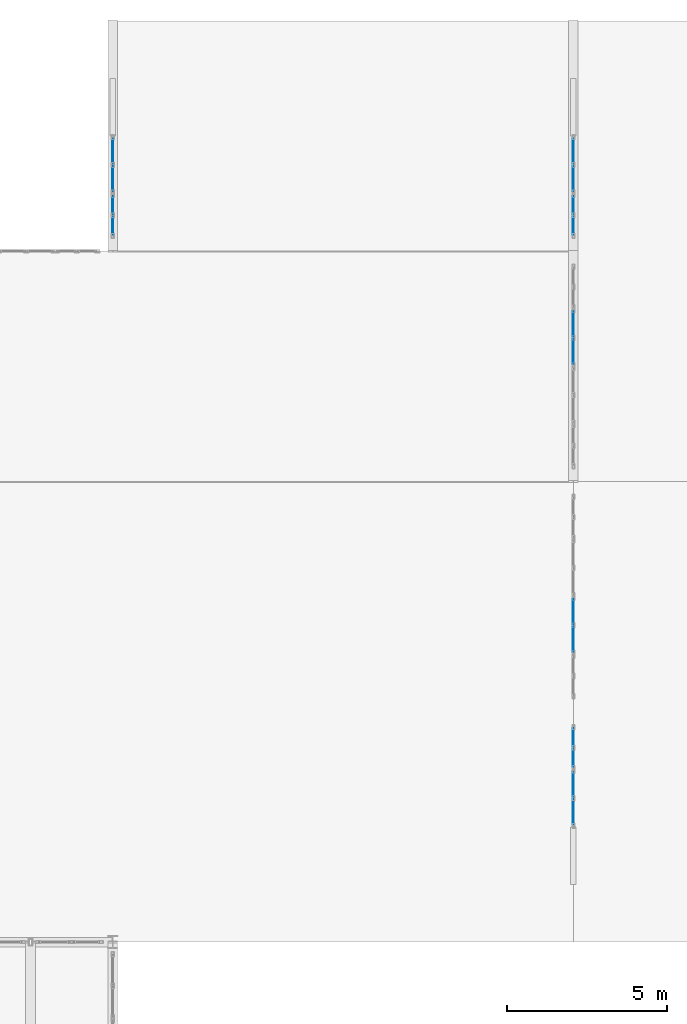
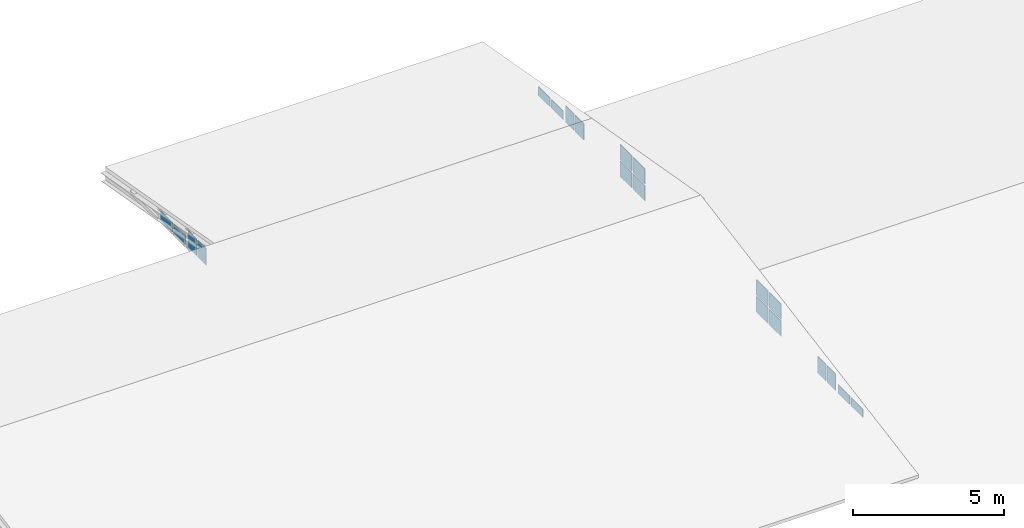
# One storey, part 37 of 39: 20 plates, 8 elements without a shape of their own.
"""IFC4 building model written with IfcOpenShell, lengths in metres."""

import ifcopenshell
import ifcopenshell.guid

model = None  # the IFC model being written
_history = None  # IfcOwnerHistory: only IFC2X3 demands one
_inside = {}  # id of a spatial element -> (the spatial element, [elements in it])
_under = {}  # id of a project, library or spatial element -> (it, [spatial elements below it])
_declared = {}  # id of a project -> (the project, [libraries it declares])
_typed = {}  # id of a type object -> (the type object, [elements of that type])
_made_of = {}  # id of a material, layer set ... -> (it, [elements and type objects made of it])


def new_model(schema):
    """Start an empty IFC model of exactly this schema.

    Asked for "IFC4X3", IfcOpenShell would pick the latest addendum, in which some entities
    have other attributes; the version numbers below select the first issue.
    IFC2X3 requires an IfcOwnerHistory on every rooted entity: one is made here for all.
    """
    global model, _history
    if schema == "IFC4X3":
        model = ifcopenshell.file(schema_version=(4, 3, 0, 0))
    else:
        model = ifcopenshell.file(schema=schema)
    _inside.clear()
    _under.clear()
    _declared.clear()
    _typed.clear()
    _made_of.clear()
    _history = None
    if model.schema == "IFC2X3":
        org = make("IfcOrganization", Name="unknown")
        user = make(
            "IfcPersonAndOrganization",
            ThePerson=make("IfcPerson", FamilyName="unknown"),
            TheOrganization=org,
        )
        app = make(
            "IfcApplication",
            ApplicationDeveloper=org,
            Version="unknown",
            ApplicationFullName="unknown",
            ApplicationIdentifier="unknown",
        )
        _history = make(
            "IfcOwnerHistory",
            OwningUser=user,
            OwningApplication=app,
            ChangeAction="ADDED",
            CreationDate=0,
        )
    return model


def make(cls, **values):
    """One entity of the class cls with the attributes given. An attribute that is None is left unset."""
    return model.create_entity(
        cls, **{name: value for name, value in values.items() if value is not None}
    )


def rooted(cls, **values):
    """An entity with a GlobalId (a new one), such as an element, a storey or a relation."""
    return make(cls, GlobalId=ifcopenshell.guid.new(), OwnerHistory=_history, **values)


def si_unit(unit_type, name, prefix=None):
    """IfcSIUnit, for example si_unit("LENGTHUNIT", "METRE", prefix="MILLI")."""
    return make("IfcSIUnit", UnitType=unit_type, Prefix=prefix, Name=name)


def assignment(units):
    """IfcUnitAssignment: the units of a project."""
    return None if units is None else make("IfcUnitAssignment", Units=units)


def point(xyz):
    """IfcCartesianPoint."""
    return None if xyz is None else make("IfcCartesianPoint", Coordinates=xyz)


def direction(xyz):
    """IfcDirection."""
    return None if xyz is None else make("IfcDirection", DirectionRatios=xyz)


def frame(location, z_axis=None, x_axis=None):
    """IfcAxis2Placement3D, a coordinate frame: its origin and axes. An axis left out is left unset."""
    return make(
        "IfcAxis2Placement3D",
        Location=point(location),
        Axis=direction(z_axis),
        RefDirection=direction(x_axis),
    )


def frame_2d(location, x_axis=None):
    """IfcAxis2Placement2D, a coordinate frame in the plane: its origin and x axis."""
    return make(
        "IfcAxis2Placement2D", Location=point(location), RefDirection=direction(x_axis)
    )


def origin():
    """The frame at (0, 0, 0) with its axes left unset."""
    return frame((0.0, 0.0, 0.0))


def origin_2d():
    """The frame at (0, 0) in the plane with its x axis left unset."""
    return frame_2d((0.0, 0.0))


def place(relative_to, where):
    """IfcLocalPlacement: puts the frame where relative to a parent placement (None: the world)."""
    return make(
        "IfcLocalPlacement", PlacementRelTo=relative_to, RelativePlacement=where
    )


def context(
    kind, dimensions, precision=None, world=None, true_north=None, identifier=None
):
    """IfcGeometricRepresentationContext, for example the 3D "Model" context."""
    return make(
        "IfcGeometricRepresentationContext",
        ContextIdentifier=identifier,
        ContextType=kind,
        CoordinateSpaceDimension=dimensions,
        Precision=precision,
        WorldCoordinateSystem=world,
        TrueNorth=true_north,
    )


def subcontext(parent, identifier, kind, view, scale=None):
    """IfcGeometricRepresentationSubContext, for example "Body" below "Model"."""
    return make(
        "IfcGeometricRepresentationSubContext",
        ContextIdentifier=identifier,
        ContextType=kind,
        ParentContext=parent,
        TargetScale=scale,
        TargetView=view,
    )


def project(units=None, contexts=None):
    """IfcProject with its units and contexts."""
    return rooted(
        "IfcProject",
        Name="project",
        RepresentationContexts=contexts,
        UnitsInContext=assignment(units),
    )


def spatial(cls, under=None, at=None, **own):
    """A site, building, storey or space (cls), placed at a placement, below another one or the project."""
    s = rooted(cls, ObjectPlacement=at, **own)
    if under is not None:
        _under.setdefault(under.id(), (under, []))[1].append(s)
    return s


def profile(cls, at=None, kind="AREA", **sizes):
    """A parametric profile (cls). Its sizes go by their IFC names, for example OverallWidth=200.0."""
    return make(cls, ProfileType=kind, Position=at, **sizes)


def rectangle(**sizes):
    """IfcRectangleProfileDef."""
    return profile("IfcRectangleProfileDef", **sizes)


def extrude(swept, where, along, depth):
    """IfcExtrudedAreaSolid: the profile swept, set in the frame where, extruded along a direction by depth."""
    return make(
        "IfcExtrudedAreaSolid",
        SweptArea=swept,
        Position=where,
        ExtrudedDirection=direction(along),
        Depth=depth,
    )


def shape(context_of_items, identifier, shape_type, items):
    """IfcShapeRepresentation: the items that make up one representation, for example the "Body"."""
    return make(
        "IfcShapeRepresentation",
        ContextOfItems=context_of_items,
        RepresentationIdentifier=identifier,
        RepresentationType=shape_type,
        Items=items,
    )


def material(Name=None, Category=None):
    """IfcMaterial."""
    return make("IfcMaterial", Name=Name, Category=Category)


def layer(
    of_material, thickness, ventilated=None, Name=None, Category=None, Priority=None
):
    """IfcMaterialLayer: one layer of a wall or slab, of a material (None: an air gap)."""
    return make(
        "IfcMaterialLayer",
        Material=of_material,
        LayerThickness=thickness,
        IsVentilated=ventilated,
        Name=Name,
        Category=Category,
        Priority=Priority,
    )


def layer_set(layers, Name=None):
    """IfcMaterialLayerSet."""
    return make("IfcMaterialLayerSet", MaterialLayers=layers, LayerSetName=Name)


def made_of(thing, what):
    """Note that an element or type object is made of a material, layer set ...; save() writes the relation."""
    if what is not None:
        _made_of.setdefault(what.id(), (what, []))[1].append(thing)
    return thing


def type_object(cls, material=None, **own):
    """A type object (cls), such as IfcWallType, which elements share."""
    return made_of(rooted(cls, **own), material)


def element(
    cls,
    number,
    at=None,
    inside=None,
    cuts=None,
    type_object=None,
    material=None,
    context=None,
    identifier="Body",
    shape_type=None,
    held_by="IfcProductDefinitionShape",
    body=None,
    shapes=None,
    **own,
):
    """One element of the class cls, such as IfcWall. Its Tag is "e" and its number.

    at: its placement. inside: the storey or other place that contains it. cuts: it is an
    opening in that element (IfcRelVoidsElement). A single representation is given by context,
    identifier, shape_type and body (its items); several are given by shapes. held_by: the class
    of the entity that holds the representations. save() writes the other relations.
    """
    e = rooted(cls, Tag="e%d" % number, ObjectPlacement=at, **own)
    if body is not None:
        shapes = [shape(context, identifier, shape_type, body)]
    if shapes is not None:
        e.Representation = make(held_by, Representations=shapes)
    if inside is not None:
        _inside.setdefault(inside.id(), (inside, []))[1].append(e)
    if cuts is not None:
        rooted(
            "IfcRelVoidsElement", RelatingBuildingElement=cuts, RelatedOpeningElement=e
        )
    if type_object is not None:
        _typed.setdefault(type_object.id(), (type_object, []))[1].append(e)
    return made_of(e, material)


def aggregate(whole, parts):
    """IfcRelAggregates: a whole, such as a stair, and the parts it consists of."""
    return rooted("IfcRelAggregates", RelatingObject=whole, RelatedObjects=parts)


def save(model, path):
    """Write the relations noted so far, then the file.

    IfcRelAggregates (storeys below a building ...), IfcRelContainedInSpatialStructure (elements
    in a storey), IfcRelDefinesByType, IfcRelAssociatesMaterial and IfcRelDeclares: one each for
    every whole, place, type object, material and project.
    """
    for whole, parts in _under.values():
        aggregate(whole, parts)
    for where, things in _inside.values():
        rooted(
            "IfcRelContainedInSpatialStructure",
            RelatedElements=things,
            RelatingStructure=where,
        )
    for kind, things in _typed.values():
        rooted("IfcRelDefinesByType", RelatedObjects=things, RelatingType=kind)
    for what, things in _made_of.values():
        rooted("IfcRelAssociatesMaterial", RelatedObjects=things, RelatingMaterial=what)
    for by, libraries in _declared.values():
        rooted("IfcRelDeclares", RelatingContext=by, RelatedDefinitions=libraries)
    model.write(path)


model = new_model("IFC4")

# Units and contexts
model_context = context("Model", 3, precision=1e-05, world=origin(), true_north=direction((0.0, 1.0)))
body_context = subcontext(model_context, "Body", "Model", "MODEL_VIEW")
ifc_project = project(units=[si_unit("LENGTHUNIT", "METRE"), si_unit("AREAUNIT", "SQUARE_METRE"), si_unit("VOLUMEUNIT", "CUBIC_METRE"), si_unit("PLANEANGLEUNIT", "RADIAN"), si_unit("MASSUNIT", "GRAM", prefix="KILO"), si_unit("THERMODYNAMICTEMPERATUREUNIT", "KELVIN"), si_unit("POWERUNIT", "WATT")], contexts=[model_context])

# Site, building, storey
site_placement = place(None, origin())
site = spatial("IfcSite", under=ifc_project, at=site_placement, CompositionType="ELEMENT")
building_placement = place(site_placement, origin())
building = spatial("IfcBuilding", under=site, at=building_placement, Name="Kaldorven Railside Theatre", CompositionType="ELEMENT")
storey_placement = place(building_placement, frame((0.0, 0.0, 27.300048828125)))
storey = spatial("IfcBuildingStorey", under=building, at=storey_placement, Name="ROOF", CompositionType="ELEMENT", Elevation=27.300048828125)

# Curtain wall, plates
ifc_material = material(Name="Low-E laminated solar-control glass", Category="glass")
ifc_layer_1 = layer(ifc_material, 0.159912109375, Name="Low-E laminated solar-control glass")
ifc_layer_set_1 = layer_set([ifc_layer_1], Name="Low-E laminated solar-control glass")
curtain_wall_type_1 = type_object("IfcCurtainWallType", Name="CWT-77", PredefinedType="USERDEFINED", material=ifc_layer_set_1)
curtain_wall_1_placement = place(storey_placement, origin())
curtain_wall_1 = element("IfcCurtainWall", 1, at=curtain_wall_1_placement, inside=storey, type_object=curtain_wall_type_1, Name="Upper Plant East Gable Clerestory CWG-186", ObjectType="FLUTED GLAZING", PredefinedType="USERDEFINED")
ifc_layer_2 = layer(ifc_material, 0.028076171875, Name="Low-E laminated solar-control glass")
ifc_layer_set_2 = layer_set([ifc_layer_2], Name="Low-E laminated solar-control glass")
plate_type = type_object("IfcPlateType", Name="CWP-GLZ28", PredefinedType="CURTAIN_PANEL", material=ifc_layer_set_2)
plate_1_placement = place(storey_placement, frame((137.60009765625, 116.8701171875, 0.080078125), z_axis=(0.0, 0.0, 1.0), x_axis=(0.0, 1.0, 0.0)))
plate_1 = element("IfcPlate", 2, at=plate_1_placement, type_object=plate_type, Name="CWG-186 panel 1.1", PredefinedType="CURTAIN_PANEL", context=body_context, shape_type="SweptSolid", body=[
    extrude(rectangle(XDim=0.780029296875, YDim=0.028076171875, at=origin_2d()), origin(), (0.0, 0.0, 1.0), 0.340087890625),
])
plate_2_placement = place(storey_placement, frame((137.60009765625, 117.72998046875, 0.080078125), z_axis=(0.0, 0.0, 1.0), x_axis=(0.0, 1.0, 0.0)))
plate_2 = element("IfcPlate", 3, at=plate_2_placement, type_object=plate_type, Name="CWG-186 panel 2.1", PredefinedType="CURTAIN_PANEL", context=body_context, shape_type="SweptSolid", body=[
    extrude(rectangle(XDim=0.780029296875, YDim=0.028076171875, at=origin_2d()), origin(), (0.0, 0.0, 1.0), 0.340087890625),
])
aggregate(curtain_wall_1, [plate_1, plate_2])

ifc_layer_3 = layer(ifc_material, 0.159912109375, Name="Low-E laminated solar-control glass")
ifc_layer_set_3 = layer_set([ifc_layer_3], Name="Low-E laminated solar-control glass")
curtain_wall_type_2 = type_object("IfcCurtainWallType", Name="CWT-78", PredefinedType="USERDEFINED", material=ifc_layer_set_3)
curtain_wall_2_placement = place(storey_placement, origin())
curtain_wall_2 = element("IfcCurtainWall", 4, at=curtain_wall_2_placement, inside=storey, type_object=curtain_wall_type_2, Name="Upper Plant East Gable Clerestory CWG-187", ObjectType="FLUTED GLAZING", PredefinedType="USERDEFINED")
plate_3_placement = place(storey_placement, frame((137.60009765625, 118.56005859375, 0.080078125), z_axis=(0.0, 0.0, 1.0), x_axis=(0.0, 1.0, 0.0)))
plate_3 = element("IfcPlate", 5, at=plate_3_placement, type_object=plate_type, Name="CWG-187 panel 1.1", PredefinedType="CURTAIN_PANEL", context=body_context, shape_type="SweptSolid", body=[
    extrude(rectangle(XDim=0.56005859375, YDim=0.028076171875, at=origin_2d()), origin(), (0.0, 0.0, 1.0), 0.659912109375),
])
plate_4_placement = place(storey_placement, frame((137.60009765625, 119.199951171875, 0.080078125), z_axis=(0.0, 0.0, 1.0), x_axis=(0.0, 1.0, 0.0)))
plate_4 = element("IfcPlate", 6, at=plate_4_placement, type_object=plate_type, Name="CWG-187 panel 2.1", PredefinedType="CURTAIN_PANEL", context=body_context, shape_type="SweptSolid", body=[
    extrude(rectangle(XDim=0.56005859375, YDim=0.028076171875, at=origin_2d()), origin(), (0.0, 0.0, 1.0), 0.659912109375),
])
aggregate(curtain_wall_2, [plate_3, plate_4])

ifc_layer_4 = layer(ifc_material, 0.159912109375, Name="Low-E laminated solar-control glass")
ifc_layer_set_4 = layer_set([ifc_layer_4], Name="Low-E laminated solar-control glass")
curtain_wall_type_3 = type_object("IfcCurtainWallType", Name="CWT-79", PredefinedType="USERDEFINED", material=ifc_layer_set_4)
curtain_wall_3_placement = place(storey_placement, origin())
curtain_wall_3 = element("IfcCurtainWall", 7, at=curtain_wall_3_placement, inside=storey, type_object=curtain_wall_type_3, Name="Upper Plant East Gable Clerestory CWG-189", ObjectType="FLUTED GLAZING", PredefinedType="USERDEFINED")
plate_5_placement = place(storey_placement, frame((137.60009765625, 122.27001953125, 0.079833984375), z_axis=(0.0, 0.0, 1.0), x_axis=(0.0, 1.0, 0.0)))
plate_5 = element("IfcPlate", 8, at=plate_5_placement, type_object=plate_type, Name="CWG-189 panel 1.1", PredefinedType="CURTAIN_PANEL", context=body_context, shape_type="SweptSolid", body=[
    extrude(rectangle(XDim=0.780029296875, YDim=0.028076171875, at=origin_2d()), origin(), (0.0, 0.0, 1.0), 0.6201171875),
])
plate_6_placement = place(storey_placement, frame((137.60009765625, 122.27001953125, 0.760009765625), z_axis=(0.0, 0.0, 1.0), x_axis=(0.0, 1.0, 0.0)))
plate_6 = element("IfcPlate", 9, at=plate_6_placement, type_object=plate_type, Name="CWG-189 panel 1.2", PredefinedType="CURTAIN_PANEL", context=body_context, shape_type="SweptSolid", body=[
    extrude(rectangle(XDim=0.780029296875, YDim=0.028076171875, at=origin_2d()), origin(), (0.0, 0.0, 1.0), 0.6201171875),
])
plate_7_placement = place(storey_placement, frame((137.60009765625, 123.1298828125, 0.079833984375), z_axis=(0.0, 0.0, 1.0), x_axis=(0.0, 1.0, 0.0)))
plate_7 = element("IfcPlate", 10, at=plate_7_placement, type_object=plate_type, Name="CWG-189 panel 2.1", PredefinedType="CURTAIN_PANEL", context=body_context, shape_type="SweptSolid", body=[
    extrude(rectangle(XDim=0.780029296875, YDim=0.028076171875, at=origin_2d()), origin(), (0.0, 0.0, 1.0), 0.6201171875),
])
plate_8_placement = place(storey_placement, frame((137.60009765625, 123.1298828125, 0.760009765625), z_axis=(0.0, 0.0, 1.0), x_axis=(0.0, 1.0, 0.0)))
plate_8 = element("IfcPlate", 11, at=plate_8_placement, type_object=plate_type, Name="CWG-189 panel 2.2", PredefinedType="CURTAIN_PANEL", context=body_context, shape_type="SweptSolid", body=[
    extrude(rectangle(XDim=0.780029296875, YDim=0.028076171875, at=origin_2d()), origin(), (0.0, 0.0, 1.0), 0.6201171875),
])
aggregate(curtain_wall_3, [plate_5, plate_6, plate_7, plate_8])

curtain_wall_4_placement = place(storey_placement, origin())
curtain_wall_4 = element("IfcCurtainWall", 12, at=curtain_wall_4_placement, inside=storey, type_object=curtain_wall_type_3, Name="Upper Plant East Gable Clerestory CWG-194", ObjectType="FLUTED GLAZING", PredefinedType="USERDEFINED")
plate_9_placement = place(storey_placement, frame((137.60009765625, 131.27001953125, 0.079833984375), z_axis=(0.0, 0.0, 1.0), x_axis=(0.0, 1.0, 0.0)))
plate_9 = element("IfcPlate", 13, at=plate_9_placement, type_object=plate_type, Name="CWG-194 panel 1.1", PredefinedType="CURTAIN_PANEL", context=body_context, shape_type="SweptSolid", body=[
    extrude(rectangle(XDim=0.780029296875, YDim=0.028076171875, at=origin_2d()), origin(), (0.0, 0.0, 1.0), 0.6201171875),
])
plate_10_placement = place(storey_placement, frame((137.60009765625, 131.27001953125, 0.760009765625), z_axis=(0.0, 0.0, 1.0), x_axis=(0.0, 1.0, 0.0)))
plate_10 = element("IfcPlate", 14, at=plate_10_placement, type_object=plate_type, Name="CWG-194 panel 1.2", PredefinedType="CURTAIN_PANEL", context=body_context, shape_type="SweptSolid", body=[
    extrude(rectangle(XDim=0.780029296875, YDim=0.028076171875, at=origin_2d()), origin(), (0.0, 0.0, 1.0), 0.6201171875),
])
plate_11_placement = place(storey_placement, frame((137.60009765625, 132.1298828125, 0.079833984375), z_axis=(0.0, 0.0, 1.0), x_axis=(0.0, 1.0, 0.0)))
plate_11 = element("IfcPlate", 15, at=plate_11_placement, type_object=plate_type, Name="CWG-194 panel 2.1", PredefinedType="CURTAIN_PANEL", context=body_context, shape_type="SweptSolid", body=[
    extrude(rectangle(XDim=0.780029296875, YDim=0.028076171875, at=origin_2d()), origin(), (0.0, 0.0, 1.0), 0.6201171875),
])
plate_12_placement = place(storey_placement, frame((137.60009765625, 132.1298828125, 0.760009765625), z_axis=(0.0, 0.0, 1.0), x_axis=(0.0, 1.0, 0.0)))
plate_12 = element("IfcPlate", 16, at=plate_12_placement, type_object=plate_type, Name="CWG-194 panel 2.2", PredefinedType="CURTAIN_PANEL", context=body_context, shape_type="SweptSolid", body=[
    extrude(rectangle(XDim=0.780029296875, YDim=0.028076171875, at=origin_2d()), origin(), (0.0, 0.0, 1.0), 0.6201171875),
])
aggregate(curtain_wall_4, [plate_9, plate_10, plate_11, plate_12])

curtain_wall_5_placement = place(storey_placement, origin())
curtain_wall_5 = element("IfcCurtainWall", 17, at=curtain_wall_5_placement, inside=storey, type_object=curtain_wall_type_2, Name="Upper Plant East Gable Clerestory CWG-196", ObjectType="FLUTED GLAZING", PredefinedType="USERDEFINED")
plate_13_placement = place(storey_placement, frame((137.60009765625, 135.199951171875, 0.080078125), z_axis=(0.0, 0.0, 1.0), x_axis=(0.0, 1.0, 0.0)))
plate_13 = element("IfcPlate", 18, at=plate_13_placement, type_object=plate_type, Name="CWG-196 panel 1.1", PredefinedType="CURTAIN_PANEL", context=body_context, shape_type="SweptSolid", body=[
    extrude(rectangle(XDim=0.56005859375, YDim=0.028076171875, at=origin_2d()), origin(), (0.0, 0.0, 1.0), 0.669921875),
])
plate_14_placement = place(storey_placement, frame((137.60009765625, 135.840087890625, 0.080078125), z_axis=(0.0, 0.0, 1.0), x_axis=(0.0, 1.0, 0.0)))
plate_14 = element("IfcPlate", 19, at=plate_14_placement, type_object=plate_type, Name="CWG-196 panel 2.1", PredefinedType="CURTAIN_PANEL", context=body_context, shape_type="SweptSolid", body=[
    extrude(rectangle(XDim=0.56005859375, YDim=0.028076171875, at=origin_2d()), origin(), (0.0, 0.0, 1.0), 0.669921875),
])
aggregate(curtain_wall_5, [plate_13, plate_14])

curtain_wall_6_placement = place(storey_placement, origin())
curtain_wall_6 = element("IfcCurtainWall", 20, at=curtain_wall_6_placement, inside=storey, type_object=curtain_wall_type_1, Name="Upper Plant East Gable Clerestory CWG-197", ObjectType="FLUTED GLAZING", PredefinedType="USERDEFINED")
plate_15_placement = place(storey_placement, frame((137.60009765625, 136.669921875, 0.079833984375), z_axis=(0.0, 0.0, 1.0), x_axis=(0.0, 1.0, 0.0)))
plate_15 = element("IfcPlate", 21, at=plate_15_placement, type_object=plate_type, Name="CWG-197 panel 1.1", PredefinedType="CURTAIN_PANEL", context=body_context, shape_type="SweptSolid", body=[
    extrude(rectangle(XDim=0.780029296875, YDim=0.028076171875, at=origin_2d()), origin(), (0.0, 0.0, 1.0), 0.35009765625),
])
plate_16_placement = place(storey_placement, frame((137.60009765625, 137.530029296875, 0.079833984375), z_axis=(0.0, 0.0, 1.0), x_axis=(0.0, 1.0, 0.0)))
plate_16 = element("IfcPlate", 22, at=plate_16_placement, type_object=plate_type, Name="CWG-197 panel 2.1", PredefinedType="CURTAIN_PANEL", context=body_context, shape_type="SweptSolid", body=[
    extrude(rectangle(XDim=0.780029296875, YDim=0.028076171875, at=origin_2d()), origin(), (0.0, 0.0, 1.0), 0.35009765625),
])
aggregate(curtain_wall_6, [plate_15, plate_16])

curtain_wall_7_placement = place(storey_placement, origin())
curtain_wall_7 = element("IfcCurtainWall", 23, at=curtain_wall_7_placement, inside=storey, type_object=curtain_wall_type_2, Name="Upper Plant West Gable Clerestory CWG-199", ObjectType="FLUTED GLAZING", PredefinedType="USERDEFINED")
plate_17_placement = place(storey_placement, frame((123.199951171875, 135.199951171875, 0.080078125), z_axis=(0.0, 0.0, 1.0), x_axis=(0.0, 1.0, 0.0)))
plate_17 = element("IfcPlate", 24, at=plate_17_placement, type_object=plate_type, Name="CWG-199 panel 1.1", PredefinedType="CURTAIN_PANEL", context=body_context, shape_type="SweptSolid", body=[
    extrude(rectangle(XDim=0.56005859375, YDim=0.028076171875, at=origin_2d()), origin(), (0.0, 0.0, 1.0), 0.669921875),
])
plate_18_placement = place(storey_placement, frame((123.199951171875, 135.840087890625, 0.080078125), z_axis=(0.0, 0.0, 1.0), x_axis=(0.0, 1.0, 0.0)))
plate_18 = element("IfcPlate", 25, at=plate_18_placement, type_object=plate_type, Name="CWG-199 panel 2.1", PredefinedType="CURTAIN_PANEL", context=body_context, shape_type="SweptSolid", body=[
    extrude(rectangle(XDim=0.56005859375, YDim=0.028076171875, at=origin_2d()), origin(), (0.0, 0.0, 1.0), 0.669921875),
])
aggregate(curtain_wall_7, [plate_17, plate_18])

curtain_wall_8_placement = place(storey_placement, origin())
curtain_wall_8 = element("IfcCurtainWall", 26, at=curtain_wall_8_placement, inside=storey, type_object=curtain_wall_type_1, Name="Upper Plant West Gable Clerestory CWG-200", ObjectType="FLUTED GLAZING", PredefinedType="USERDEFINED")
plate_19_placement = place(storey_placement, frame((123.199951171875, 136.669921875, 0.079833984375), z_axis=(0.0, 0.0, 1.0), x_axis=(0.0, 1.0, 0.0)))
plate_19 = element("IfcPlate", 27, at=plate_19_placement, type_object=plate_type, Name="CWG-200 panel 1.1", PredefinedType="CURTAIN_PANEL", context=body_context, shape_type="SweptSolid", body=[
    extrude(rectangle(XDim=0.780029296875, YDim=0.028076171875, at=origin_2d()), origin(), (0.0, 0.0, 1.0), 0.35009765625),
])
plate_20_placement = place(storey_placement, frame((123.199951171875, 137.530029296875, 0.079833984375), z_axis=(0.0, 0.0, 1.0), x_axis=(0.0, 1.0, 0.0)))
plate_20 = element("IfcPlate", 28, at=plate_20_placement, type_object=plate_type, Name="CWG-200 panel 2.1", PredefinedType="CURTAIN_PANEL", context=body_context, shape_type="SweptSolid", body=[
    extrude(rectangle(XDim=0.780029296875, YDim=0.028076171875, at=origin_2d()), origin(), (0.0, 0.0, 1.0), 0.35009765625),
])
aggregate(curtain_wall_8, [plate_19, plate_20])

save(model, "model.ifc")
